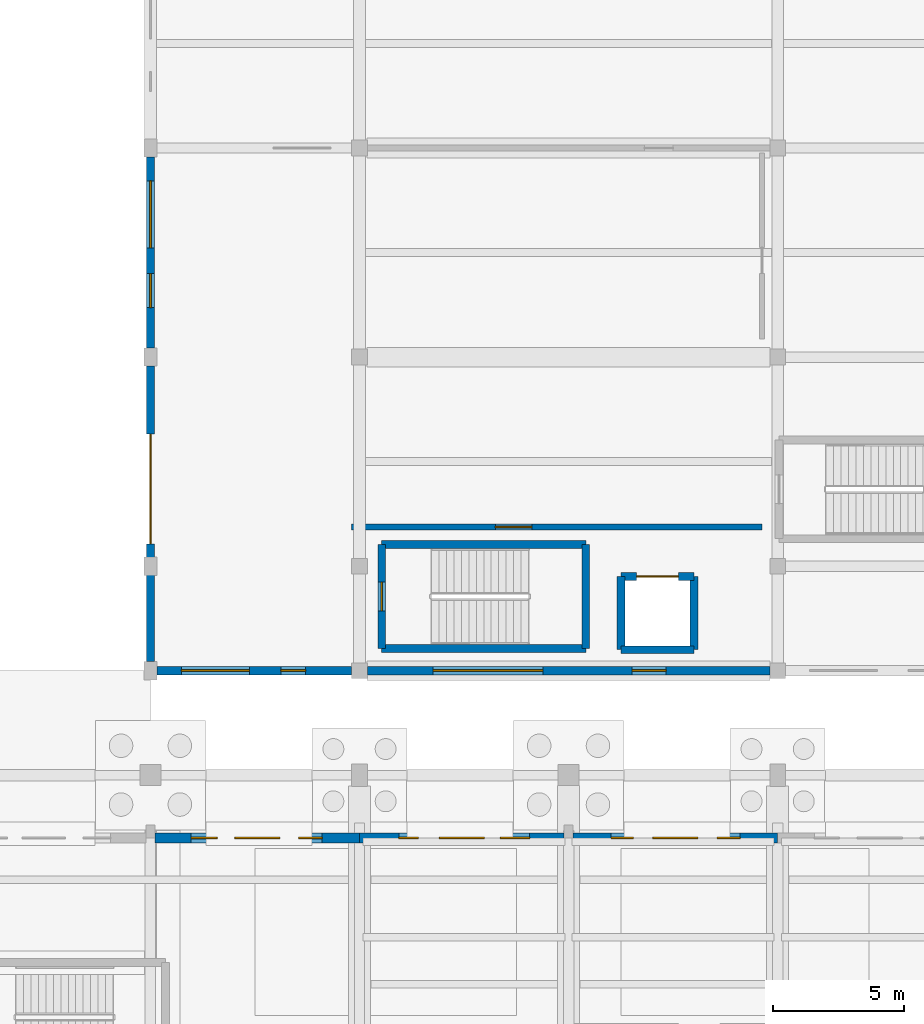
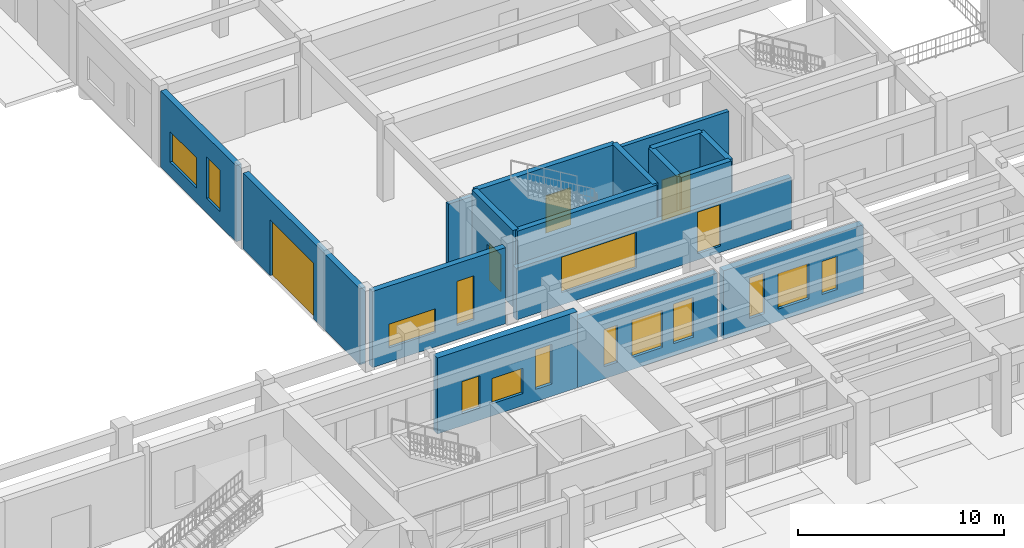
# One storey, part 49 of 68: 16 walls, 15 windows, 4 doors, 19 openings.
"""IFC4 building model written with IfcOpenShell, lengths in metres."""

from ifc_helpers import new_model, si_unit, direction, frame, frame_2d, origin, place, context, subcontext, project, spatial, rectangle, extrude, material, layer, layer_set, type_object, element, fill, save


model = new_model("IFC4")

# Units and contexts
model_context = context("Model", 3, precision=1e-05, world=origin(), true_north=direction((0.0, 1.0)))
body_context = subcontext(model_context, "Body", "Model", "MODEL_VIEW")
ifc_project = project(units=[si_unit("LENGTHUNIT", "METRE"), si_unit("AREAUNIT", "SQUARE_METRE"), si_unit("VOLUMEUNIT", "CUBIC_METRE"), si_unit("PLANEANGLEUNIT", "RADIAN"), si_unit("MASSUNIT", "GRAM", prefix="KILO")], contexts=[model_context])

# Site, building, storey
site_placement = place(None, origin())
site = spatial("IfcSite", under=ifc_project, at=site_placement, CompositionType="ELEMENT")
building_placement = place(site_placement, origin())
building = spatial("IfcBuilding", under=site, at=building_placement, Name="Serraluz Foothill Cableway Terminal", CompositionType="ELEMENT")
storey_placement = place(building_placement, origin())
storey = spatial("IfcBuildingStorey", under=building, at=storey_placement, Name="L00", CompositionType="ELEMENT", Elevation=0.0)

# Wall, opening, door
ifc_material_1 = material(Name="Dark clinker clay masonry brick (f'm 14 MPa)", Category="masonry")
ifc_layer_1 = layer(ifc_material_1, 0.320068359375, Name="Dark clinker clay masonry brick (f'm 14 MPa)", Category="masonry")
ifc_layer_set_1 = layer_set([ifc_layer_1], Name="Dark clinker clay masonry brick (f'm 14 MPa)")
wall_type_1 = type_object("IfcWallType", Name="TYP-WL-EXT-320", PredefinedType="STANDARD", material=ifc_layer_set_1)
wall_1_placement = place(storey_placement, frame((72.0, 76.35009765625, 0.0), z_axis=(0.0, 0.0, 1.0), x_axis=(0.0, 1.0, 0.0)))
wall_1 = element("IfcWall", 1, at=wall_1_placement, inside=storey, type_object=wall_type_1, Name="Exterior Masonry Wall EW-V4W-L00-1", PredefinedType="STANDARD", context=body_context, shape_type="SweptSolid", body=[
    extrude(rectangle(XDim=11.2998046875, YDim=0.320068359375, at=frame_2d((5.64990234375, 0.0))), origin(), (0.0, 0.0, 1.0), 4.5),
])
opening_1_placement = place(wall_1_placement, frame((4.5, 0.0, 0.0)))
opening_1 = element("IfcOpeningElement", 2, at=opening_1_placement, cuts=wall_1, Name="Opening GV-02", PredefinedType="OPENING", context=body_context, shape_type="SweptSolid", body=[
    extrude(rectangle(XDim=4.199951171875, YDim=3.300048828125, at=frame_2d((2.10009765625, 1.64990234375))), frame((0.0, 0.169921875, 0.0), z_axis=(0.0, -1.0, 0.0), x_axis=(1.0, 0.0, 0.0)), (0.0, 0.0, 1.0), 0.340087890625),
])
ifc_material_2 = material(Name="Galvanized hollow-metal steel sheet", Category="steel")
door_type_1 = type_object("IfcDoorType", Name="TYP-GT-LOAD-4200", OperationType="ROLLINGUP", PredefinedType="GATE", material=ifc_material_2)
door_1_placement = place(opening_1_placement, origin())
door_1 = element("IfcDoor", 3, at=door_1_placement, inside=storey, type_object=door_type_1, Name="Component Loading Roller Gate", OperationType="ROLLINGUP", OverallHeight=3.300048828125, OverallWidth=4.199951171875, PredefinedType="GATE", context=body_context, shape_type="SweptSolid", body=[
    extrude(rectangle(XDim=4.199951171875, YDim=3.300048828125, at=frame_2d((2.10009765625, 1.64990234375))), frame((0.0, 0.02490234375, 0.0), z_axis=(0.0, -1.0, 0.0), x_axis=(1.0, 0.0, 0.0)), (0.0, 0.0, 1.0), 0.050048828125),
])
fill(opening_1, door_1)

# Wall, openings, windows
wall_2_placement = place(storey_placement, frame((72.0, 88.35009765625, 0.0), z_axis=(0.0, 0.0, 1.0), x_axis=(0.0, 1.0, 0.0)))
wall_2 = element("IfcWall", 4, at=wall_2_placement, inside=storey, type_object=wall_type_1, Name="Exterior Masonry Wall EW-V4W-L00-2A", PredefinedType="STANDARD", context=body_context, shape_type="SweptSolid", body=[
    extrude(rectangle(XDim=7.2998046875, YDim=0.320068359375, at=frame_2d((3.64990234375, 0.0))), origin(), (0.0, 0.0, 1.0), 4.5),
])
opening_2_placement = place(wall_2_placement, frame((1.5400390625, 0.0, 0.85009765625)))
opening_2 = element("IfcOpeningElement", 5, at=opening_2_placement, cuts=wall_2, Name="Opening W-40", PredefinedType="OPENING", context=body_context, shape_type="SweptSolid", body=[
    extrude(rectangle(XDim=1.300048828125, YDim=2.449951171875, at=frame_2d((0.64990234375, 1.22509765625))), frame((0.0, 0.169921875, 0.0), z_axis=(0.0, -1.0, 0.0), x_axis=(1.0, 0.0, 0.0)), (0.0, 0.0, 1.0), 0.340087890625),
])
opening_3_placement = place(wall_2_placement, frame((3.83251953125, 0.0, 0.85009765625)))
opening_3 = element("IfcOpeningElement", 6, at=opening_3_placement, cuts=wall_2, Name="Opening W-15", PredefinedType="OPENING", context=body_context, shape_type="SweptSolid", body=[
    extrude(rectangle(XDim=2.554931640625, YDim=1.800048828125, at=frame_2d((1.27734375, 0.89990234375))), frame((0.0, 0.169921875, 0.0), z_axis=(0.0, -1.0, 0.0), x_axis=(1.0, 0.0, 0.0)), (0.0, 0.0, 1.0), 0.340087890625),
])
ifc_material_3 = material(Name="Laminated low-E safety glass", Category="glass")
window_type_1 = type_object("IfcWindowType", Name="TYP-WN-130X245", PartitioningType="DOUBLE_PANEL_VERTICAL", PredefinedType="WINDOW", material=ifc_material_3)
window_1_placement = place(opening_2_placement, origin())
window_1 = element("IfcWindow", 7, at=window_1_placement, inside=storey, type_object=window_type_1, Name="Exterior Window EW-V4W-L00-2A-WN1", OverallHeight=2.449951171875, OverallWidth=1.300048828125, PartitioningType="SINGLE_PANEL", PredefinedType="WINDOW", context=body_context, shape_type="SweptSolid", body=[
    extrude(rectangle(XDim=1.300048828125, YDim=2.449951171875, at=frame_2d((0.64990234375, 1.22509765625))), frame((0.0, 0.030029296875, 0.0), z_axis=(0.0, -1.0, 0.0), x_axis=(1.0, 0.0, 0.0)), (0.0, 0.0, 1.0), 0.06005859375),
])
fill(opening_2, window_1)
window_type_2 = type_object("IfcWindowType", Name="TYP-WN-270X180", PartitioningType="TRIPLE_PANEL_VERTICAL", PredefinedType="WINDOW", material=ifc_material_3)
window_2_placement = place(opening_3_placement, origin())
window_2 = element("IfcWindow", 8, at=window_2_placement, inside=storey, type_object=window_type_2, Name="Exterior Window EW-V4W-L00-2A-WN2", OverallHeight=1.800048828125, OverallWidth=2.554931640625, PartitioningType="SINGLE_PANEL", PredefinedType="WINDOW", context=body_context, shape_type="SweptSolid", body=[
    extrude(rectangle(XDim=2.554931640625, YDim=1.800048828125, at=frame_2d((1.27734375, 0.89990234375))), frame((0.0, 0.030029296875, 0.0), z_axis=(0.0, -1.0, 0.0), x_axis=(1.0, 0.0, 0.0)), (0.0, 0.0, 1.0), 0.06005859375),
])
fill(opening_3, window_2)

wall_3_placement = place(storey_placement, frame((95.699951171875, 76.0, 0.0), z_axis=(0.0, 0.0, 1.0), x_axis=(-1.0, 0.0, 0.0)))
wall_3 = element("IfcWall", 9, at=wall_3_placement, inside=storey, type_object=wall_type_1, Name="Exterior Masonry Wall EW-V4S-L00-80", PredefinedType="STANDARD", context=body_context, shape_type="SweptSolid", body=[
    extrude(rectangle(XDim=15.39990234375, YDim=0.320068359375, at=frame_2d((7.699951171875, 0.0))), origin(), (0.0, 0.0, 1.0), 3.050048828125),
])
opening_4_placement = place(wall_3_placement, frame((3.969970703125, 0.0, 0.3798828125)))
opening_4 = element("IfcOpeningElement", 10, at=opening_4_placement, cuts=wall_3, Name="Opening W-40", PredefinedType="OPENING", context=body_context, shape_type="SweptSolid", body=[
    extrude(rectangle(XDim=1.300048828125, YDim=2.449951171875, at=frame_2d((0.64990234375, 1.22509765625))), frame((0.0, 0.169921875, 0.0), z_axis=(0.0, -1.0, 0.0), x_axis=(1.0, 0.0, 0.0)), (0.0, 0.0, 1.0), 0.340087890625),
])
opening_5_placement = place(wall_3_placement, frame((8.679931640625, 0.0, 0.72998046875)))
opening_5 = element("IfcOpeningElement", 11, at=opening_5_placement, cuts=wall_3, Name="Opening W-22", PredefinedType="OPENING", context=body_context, shape_type="SweptSolid", body=[
    extrude(rectangle(XDim=4.199951171875, YDim=2.10009765625, at=frame_2d((2.10009765625, 1.050048828125))), frame((0.0, 0.169921875, 0.0), z_axis=(0.0, -1.0, 0.0), x_axis=(1.0, 0.0, 0.0)), (0.0, 0.0, 1.0), 0.340087890625),
])
window_3_placement = place(opening_4_placement, origin())
window_3 = element("IfcWindow", 12, at=window_3_placement, inside=storey, type_object=window_type_1, Name="Exterior Window EW-V4S-L00-80-WN1", OverallHeight=2.449951171875, OverallWidth=1.300048828125, PartitioningType="SINGLE_PANEL", PredefinedType="WINDOW", context=body_context, shape_type="SweptSolid", body=[
    extrude(rectangle(XDim=1.300048828125, YDim=2.449951171875, at=frame_2d((0.64990234375, 1.22509765625))), frame((0.0, 0.030029296875, 0.0), z_axis=(0.0, -1.0, 0.0), x_axis=(1.0, 0.0, 0.0)), (0.0, 0.0, 1.0), 0.06005859375),
])
fill(opening_4, window_3)
window_type_3 = type_object("IfcWindowType", Name="TYP-WN-420X210", PartitioningType="TRIPLE_PANEL_VERTICAL", PredefinedType="WINDOW", material=ifc_material_3)
window_4_placement = place(opening_5_placement, origin())
window_4 = element("IfcWindow", 13, at=window_4_placement, inside=storey, type_object=window_type_3, Name="Exterior Window EW-V4S-L00-80-WN2", OverallHeight=2.10009765625, OverallWidth=4.199951171875, PartitioningType="SINGLE_PANEL", PredefinedType="WINDOW", context=body_context, shape_type="SweptSolid", body=[
    extrude(rectangle(XDim=4.199951171875, YDim=2.10009765625, at=frame_2d((2.10009765625, 1.050048828125))), frame((0.0, 0.030029296875, 0.0), z_axis=(0.0, -1.0, 0.0), x_axis=(1.0, 0.0, 0.0)), (0.0, 0.0, 1.0), 0.06005859375),
])
fill(opening_5, window_4)

wall_4_placement = place(storey_placement, frame((79.699951171875, 76.0, 0.0), z_axis=(0.0, 0.0, 1.0), x_axis=(-1.0, 0.0, 0.0)))
wall_4 = element("IfcWall", 14, at=wall_4_placement, inside=storey, type_object=wall_type_1, Name="Exterior Masonry Wall EW-V4S-L00-72", PredefinedType="STANDARD", context=body_context, shape_type="SweptSolid", body=[
    extrude(rectangle(XDim=7.449951171875, YDim=0.320068359375, at=frame_2d((3.72509765625, 0.0))), origin(), (0.0, 0.0, 1.0), 4.5),
])
opening_6_placement = place(wall_4_placement, frame((1.760009765625, 0.0, 0.85009765625)))
opening_6 = element("IfcOpeningElement", 15, at=opening_6_placement, cuts=wall_4, Name="Opening W-03", PredefinedType="OPENING", context=body_context, shape_type="SweptSolid", body=[
    extrude(rectangle(XDim=0.949951171875, YDim=2.60009765625, at=frame_2d((0.47509765625, 1.300048828125))), frame((0.0, 0.169921875, 0.0), z_axis=(0.0, -1.0, 0.0), x_axis=(1.0, 0.0, 0.0)), (0.0, 0.0, 1.0), 0.340087890625),
])
opening_7_placement = place(wall_4_placement, frame((3.910888671875, 0.0, 0.85009765625)))
opening_7 = element("IfcOpeningElement", 16, at=opening_7_placement, cuts=wall_4, Name="Opening W-23", PredefinedType="OPENING", context=body_context, shape_type="SweptSolid", body=[
    extrude(rectangle(XDim=2.60791015625, YDim=1.39990234375, at=frame_2d((1.303955078125, 0.699951171875))), frame((0.0, 0.169921875, 0.0), z_axis=(0.0, -1.0, 0.0), x_axis=(1.0, 0.0, 0.0)), (0.0, 0.0, 1.0), 0.340087890625),
])
window_type_4 = type_object("IfcWindowType", Name="TYP-WN-095X260", PartitioningType="SINGLE_PANEL", PredefinedType="WINDOW", material=ifc_material_3)
window_5_placement = place(opening_6_placement, origin())
window_5 = element("IfcWindow", 17, at=window_5_placement, inside=storey, type_object=window_type_4, Name="Exterior Window EW-V4S-L00-72-WN1", OverallHeight=2.60009765625, OverallWidth=0.949951171875, PartitioningType="SINGLE_PANEL", PredefinedType="WINDOW", context=body_context, shape_type="SweptSolid", body=[
    extrude(rectangle(XDim=0.949951171875, YDim=2.60009765625, at=frame_2d((0.47509765625, 1.300048828125))), frame((0.0, 0.030029296875, 0.0), z_axis=(0.0, -1.0, 0.0), x_axis=(1.0, 0.0, 0.0)), (0.0, 0.0, 1.0), 0.06005859375),
])
fill(opening_6, window_5)
window_type_5 = type_object("IfcWindowType", Name="TYP-WN-450X140", PartitioningType="DOUBLE_PANEL_HORIZONTAL", PredefinedType="WINDOW", material=ifc_material_3)
window_6_placement = place(opening_7_placement, origin())
window_6 = element("IfcWindow", 18, at=window_6_placement, inside=storey, type_object=window_type_5, Name="Exterior Window EW-V4S-L00-72-WN2", OverallHeight=1.39990234375, OverallWidth=2.60791015625, PartitioningType="SINGLE_PANEL", PredefinedType="WINDOW", context=body_context, shape_type="SweptSolid", body=[
    extrude(rectangle(XDim=2.60791015625, YDim=1.39990234375, at=frame_2d((1.303955078125, 0.699951171875))), frame((0.0, 0.030029296875, 0.0), z_axis=(0.0, -1.0, 0.0), x_axis=(1.0, 0.0, 0.0)), (0.0, 0.0, 1.0), 0.06005859375),
])
fill(opening_7, window_6)

ifc_layer_2 = layer(ifc_material_1, 0.3798828125, Name="Dark clinker clay masonry brick (f'm 14 MPa)", Category="masonry")
ifc_layer_set_2 = layer_set([ifc_layer_2], Name="Dark clinker clay masonry brick (f'm 14 MPa)")
wall_type_2 = type_object("IfcWallType", Name="TYP-WL-EXT-380", PredefinedType="STANDARD", material=ifc_layer_set_2)
wall_5_placement = place(storey_placement, frame((72.175048828125, 69.60009765625, 0.0), z_axis=(0.0, 0.0, 1.0), x_axis=(1.0, 0.0, 0.0)))
wall_5 = element("IfcWall", 19, at=wall_5_placement, inside=storey, type_object=wall_type_2, Name="Exterior Masonry Wall EW-V1N-L00-72", PredefinedType="STANDARD", context=body_context, shape_type="SweptSolid", body=[
    extrude(rectangle(XDim=7.824951171875, YDim=0.3798828125, at=frame_2d((3.91259765625, 0.0))), origin(), (0.0, 0.0, 1.0), 4.5),
])
opening_8_placement = place(wall_5_placement, frame((1.3779296875, 0.0, 0.719970703125)))
opening_8 = element("IfcOpeningElement", 20, at=opening_8_placement, cuts=wall_5, Name="Opening W-24", PredefinedType="OPENING", context=body_context, shape_type="SweptSolid", body=[
    extrude(rectangle(XDim=1.0, YDim=1.89990234375, at=frame_2d((0.5, 0.949951171875))), frame((0.0, 0.199951171875, 0.0), z_axis=(0.0, -1.0, 0.0), x_axis=(1.0, 0.0, 0.0)), (0.0, 0.0, 1.0), 0.39990234375),
])
opening_9_placement = place(wall_5_placement, frame((3.051513671875, 0.0, 0.719970703125)))
opening_9 = element("IfcOpeningElement", 21, at=opening_9_placement, cuts=wall_5, Name="Opening W-11", PredefinedType="OPENING", context=body_context, shape_type="SweptSolid", body=[
    extrude(rectangle(XDim=1.721923828125, YDim=1.5, at=frame_2d((0.86083984375, 0.75))), frame((0.0, 0.199951171875, 0.0), z_axis=(0.0, -1.0, 0.0), x_axis=(1.0, 0.0, 0.0)), (0.0, 0.0, 1.0), 0.39990234375),
])
opening_10_placement = place(wall_5_placement, frame((5.4970703125, 0.0, 0.719970703125)))
opening_10 = element("IfcOpeningElement", 22, at=opening_10_placement, cuts=wall_5, Name="Opening W-37", PredefinedType="OPENING", context=body_context, shape_type="SweptSolid", body=[
    extrude(rectangle(XDim=0.89990234375, YDim=2.35009765625, at=frame_2d((0.449951171875, 1.175048828125))), frame((0.0, 0.199951171875, 0.0), z_axis=(0.0, -1.0, 0.0), x_axis=(1.0, 0.0, 0.0)), (0.0, 0.0, 1.0), 0.39990234375),
])
window_type_6 = type_object("IfcWindowType", Name="TYP-WN-090X235", PartitioningType="SINGLE_PANEL", PredefinedType="WINDOW", material=ifc_material_3)
window_7_placement = place(opening_10_placement, origin())
window_7 = element("IfcWindow", 23, at=window_7_placement, inside=storey, type_object=window_type_6, Name="Exterior Window EW-V1N-L00-72-WN3", OverallHeight=2.35009765625, OverallWidth=0.89990234375, PartitioningType="SINGLE_PANEL", PredefinedType="WINDOW", context=body_context, shape_type="SweptSolid", body=[
    extrude(rectangle(XDim=0.89990234375, YDim=2.35009765625, at=frame_2d((0.449951171875, 1.175048828125))), frame((0.0, 0.030029296875, 0.0), z_axis=(0.0, -1.0, 0.0), x_axis=(1.0, 0.0, 0.0)), (0.0, 0.0, 1.0), 0.06005859375),
])
fill(opening_10, window_7)
window_type_7 = type_object("IfcWindowType", Name="TYP-WN-100X190", PartitioningType="SINGLE_PANEL", PredefinedType="WINDOW", material=ifc_material_3)
window_8_placement = place(opening_8_placement, origin())
window_8 = element("IfcWindow", 24, at=window_8_placement, inside=storey, type_object=window_type_7, Name="Exterior Window EW-V1N-L00-72-WN1", OverallHeight=1.89990234375, OverallWidth=1.0, PartitioningType="SINGLE_PANEL", PredefinedType="WINDOW", context=body_context, shape_type="SweptSolid", body=[
    extrude(rectangle(XDim=1.0, YDim=1.89990234375, at=frame_2d((0.5, 0.949951171875))), frame((0.0, 0.030029296875, 0.0), z_axis=(0.0, -1.0, 0.0), x_axis=(1.0, 0.0, 0.0)), (0.0, 0.0, 1.0), 0.06005859375),
])
fill(opening_8, window_8)
window_type_8 = type_object("IfcWindowType", Name="TYP-WN-210X150", PartitioningType="DOUBLE_PANEL_VERTICAL", PredefinedType="WINDOW", material=ifc_material_3)
window_9_placement = place(opening_9_placement, origin())
window_9 = element("IfcWindow", 25, at=window_9_placement, inside=storey, type_object=window_type_8, Name="Exterior Window EW-V1N-L00-72-WN2", OverallHeight=1.5, OverallWidth=1.721923828125, PartitioningType="SINGLE_PANEL", PredefinedType="WINDOW", context=body_context, shape_type="SweptSolid", body=[
    extrude(rectangle(XDim=1.721923828125, YDim=1.5, at=frame_2d((0.86083984375, 0.75))), frame((0.0, 0.030029296875, 0.0), z_axis=(0.0, -1.0, 0.0), x_axis=(1.0, 0.0, 0.0)), (0.0, 0.0, 1.0), 0.06005859375),
])
fill(opening_9, window_9)

wall_6_placement = place(storey_placement, frame((80.0, 69.60009765625, 0.0), z_axis=(0.0, 0.0, 1.0), x_axis=(1.0, 0.0, 0.0)))
wall_6 = element("IfcWall", 26, at=wall_6_placement, inside=storey, type_object=wall_type_2, Name="Exterior Masonry Wall EW-V1N-L00-80", PredefinedType="STANDARD", context=body_context, shape_type="SweptSolid", body=[
    extrude(rectangle(XDim=7.824951171875, YDim=0.3798828125, at=frame_2d((3.91259765625, 0.0))), origin(), (0.0, 0.0, 1.0), 4.050048828125),
])
opening_11_placement = place(wall_6_placement, frame((1.5029296875, 0.0, 0.719970703125)))
opening_11 = element("IfcOpeningElement", 27, at=opening_11_placement, cuts=wall_6, Name="Opening W-01", PredefinedType="OPENING", context=body_context, shape_type="SweptSolid", body=[
    extrude(rectangle(XDim=0.75, YDim=2.199951171875, at=frame_2d((0.375, 1.10009765625))), frame((0.0, 0.199951171875, 0.0), z_axis=(0.0, -1.0, 0.0), x_axis=(1.0, 0.0, 0.0)), (0.0, 0.0, 1.0), 0.39990234375),
])
opening_12_placement = place(wall_6_placement, frame((3.051513671875, 0.0, 0.719970703125)))
opening_12 = element("IfcOpeningElement", 28, at=opening_12_placement, cuts=wall_6, Name="Opening W-14", PredefinedType="OPENING", context=body_context, shape_type="SweptSolid", body=[
    extrude(rectangle(XDim=1.721923828125, YDim=2.199951171875, at=frame_2d((0.86083984375, 1.10009765625))), frame((0.0, 0.199951171875, 0.0), z_axis=(0.0, -1.0, 0.0), x_axis=(1.0, 0.0, 0.0)), (0.0, 0.0, 1.0), 0.39990234375),
])
opening_13_placement = place(wall_6_placement, frame((5.386962890625, 0.0, 0.719970703125)))
opening_13 = element("IfcOpeningElement", 29, at=opening_13_placement, cuts=wall_6, Name="Opening W-50", PredefinedType="OPENING", context=body_context, shape_type="SweptSolid", body=[
    extrude(rectangle(XDim=1.1201171875, YDim=2.35009765625, at=frame_2d((0.56005859375, 1.175048828125))), frame((0.0, 0.199951171875, 0.0), z_axis=(0.0, -1.0, 0.0), x_axis=(1.0, 0.0, 0.0)), (0.0, 0.0, 1.0), 0.39990234375),
])
window_type_9 = type_object("IfcWindowType", Name="TYP-WN-075X220", PartitioningType="SINGLE_PANEL", PredefinedType="WINDOW", material=ifc_material_3)
window_10_placement = place(opening_11_placement, origin())
window_10 = element("IfcWindow", 30, at=window_10_placement, inside=storey, type_object=window_type_9, Name="Exterior Window EW-V1N-L00-80-WN1", OverallHeight=2.199951171875, OverallWidth=0.75, PartitioningType="SINGLE_PANEL", PredefinedType="WINDOW", context=body_context, shape_type="SweptSolid", body=[
    extrude(rectangle(XDim=0.75, YDim=2.199951171875, at=frame_2d((0.375, 1.10009765625))), frame((0.0, 0.030029296875, 0.0), z_axis=(0.0, -1.0, 0.0), x_axis=(1.0, 0.0, 0.0)), (0.0, 0.0, 1.0), 0.06005859375),
])
fill(opening_11, window_10)
window_type_10 = type_object("IfcWindowType", Name="TYP-WN-112X235", PartitioningType="SINGLE_PANEL", PredefinedType="WINDOW", material=ifc_material_3)
window_11_placement = place(opening_13_placement, origin())
window_11 = element("IfcWindow", 31, at=window_11_placement, inside=storey, type_object=window_type_10, Name="Exterior Window EW-V1N-L00-80-WN3", OverallHeight=2.35009765625, OverallWidth=1.1201171875, PartitioningType="SINGLE_PANEL", PredefinedType="WINDOW", context=body_context, shape_type="SweptSolid", body=[
    extrude(rectangle(XDim=1.1201171875, YDim=2.35009765625, at=frame_2d((0.56005859375, 1.175048828125))), frame((0.0, 0.030029296875, 0.0), z_axis=(0.0, -1.0, 0.0), x_axis=(1.0, 0.0, 0.0)), (0.0, 0.0, 1.0), 0.06005859375),
])
fill(opening_13, window_11)
window_type_11 = type_object("IfcWindowType", Name="TYP-WN-240X220", PartitioningType="TRIPLE_PANEL_VERTICAL", PredefinedType="WINDOW", material=ifc_material_3)
window_12_placement = place(opening_12_placement, origin())
window_12 = element("IfcWindow", 32, at=window_12_placement, inside=storey, type_object=window_type_11, Name="Exterior Window EW-V1N-L00-80-WN2", OverallHeight=2.199951171875, OverallWidth=1.721923828125, PartitioningType="SINGLE_PANEL", PredefinedType="WINDOW", context=body_context, shape_type="SweptSolid", body=[
    extrude(rectangle(XDim=1.721923828125, YDim=2.199951171875, at=frame_2d((0.86083984375, 1.10009765625))), frame((0.0, 0.030029296875, 0.0), z_axis=(0.0, -1.0, 0.0), x_axis=(1.0, 0.0, 0.0)), (0.0, 0.0, 1.0), 0.06005859375),
])
fill(opening_12, window_12)

wall_7_placement = place(storey_placement, frame((88.175048828125, 69.60009765625, 0.0), z_axis=(0.0, 0.0, 1.0), x_axis=(1.0, 0.0, 0.0)))
wall_7 = element("IfcWall", 33, at=wall_7_placement, inside=storey, type_object=wall_type_2, Name="Exterior Masonry Wall EW-V1N-L00-88", PredefinedType="STANDARD", context=body_context, shape_type="SweptSolid", body=[
    extrude(rectangle(XDim=7.824951171875, YDim=0.3798828125, at=frame_2d((3.91259765625, 0.0))), origin(), (0.0, 0.0, 1.0), 4.050048828125),
])
opening_14_placement = place(wall_7_placement, frame((1.452880859375, 0.0, 0.719970703125)))
opening_14 = element("IfcOpeningElement", 34, at=opening_14_placement, cuts=wall_7, Name="Opening W-02", PredefinedType="OPENING", context=body_context, shape_type="SweptSolid", body=[
    extrude(rectangle(XDim=0.85009765625, YDim=2.39990234375, at=frame_2d((0.425048828125, 1.199951171875))), frame((0.0, 0.199951171875, 0.0), z_axis=(0.0, -1.0, 0.0), x_axis=(1.0, 0.0, 0.0)), (0.0, 0.0, 1.0), 0.39990234375),
])
opening_15_placement = place(wall_7_placement, frame((3.051513671875, 0.0, 0.719970703125)))
opening_15 = element("IfcOpeningElement", 35, at=opening_15_placement, cuts=wall_7, Name="Opening W-17", PredefinedType="OPENING", context=body_context, shape_type="SweptSolid", body=[
    extrude(rectangle(XDim=1.721923828125, YDim=2.10009765625, at=frame_2d((0.86083984375, 1.050048828125))), frame((0.0, 0.199951171875, 0.0), z_axis=(0.0, -1.0, 0.0), x_axis=(1.0, 0.0, 0.0)), (0.0, 0.0, 1.0), 0.39990234375),
])
opening_16_placement = place(wall_7_placement, frame((5.507080078125, 0.0, 0.719970703125)))
opening_16 = element("IfcOpeningElement", 36, at=opening_16_placement, cuts=wall_7, Name="Opening W-48", PredefinedType="OPENING", context=body_context, shape_type="SweptSolid", body=[
    extrude(rectangle(XDim=0.8798828125, YDim=1.949951171875, at=frame_2d((0.43994140625, 0.97509765625))), frame((0.0, 0.199951171875, 0.0), z_axis=(0.0, -1.0, 0.0), x_axis=(1.0, 0.0, 0.0)), (0.0, 0.0, 1.0), 0.39990234375),
])
window_type_12 = type_object("IfcWindowType", Name="TYP-WN-085X240", PartitioningType="SINGLE_PANEL", PredefinedType="WINDOW", material=ifc_material_3)
window_13_placement = place(opening_14_placement, origin())
window_13 = element("IfcWindow", 37, at=window_13_placement, inside=storey, type_object=window_type_12, Name="Exterior Window EW-V1N-L00-88-WN1", OverallHeight=2.39990234375, OverallWidth=0.85009765625, PartitioningType="SINGLE_PANEL", PredefinedType="WINDOW", context=body_context, shape_type="SweptSolid", body=[
    extrude(rectangle(XDim=0.85009765625, YDim=2.39990234375, at=frame_2d((0.425048828125, 1.199951171875))), frame((0.0, 0.030029296875, 0.0), z_axis=(0.0, -1.0, 0.0), x_axis=(1.0, 0.0, 0.0)), (0.0, 0.0, 1.0), 0.06005859375),
])
fill(opening_14, window_13)
window_type_13 = type_object("IfcWindowType", Name="TYP-WN-088X195", PartitioningType="SINGLE_PANEL", PredefinedType="WINDOW", material=ifc_material_3)
window_14_placement = place(opening_16_placement, origin())
window_14 = element("IfcWindow", 38, at=window_14_placement, inside=storey, type_object=window_type_13, Name="Exterior Window EW-V1N-L00-88-WN3", OverallHeight=1.949951171875, OverallWidth=0.8798828125, PartitioningType="SINGLE_PANEL", PredefinedType="WINDOW", context=body_context, shape_type="SweptSolid", body=[
    extrude(rectangle(XDim=0.8798828125, YDim=1.949951171875, at=frame_2d((0.43994140625, 0.97509765625))), frame((0.0, 0.030029296875, 0.0), z_axis=(0.0, -1.0, 0.0), x_axis=(1.0, 0.0, 0.0)), (0.0, 0.0, 1.0), 0.06005859375),
])
fill(opening_16, window_14)
window_type_14 = type_object("IfcWindowType", Name="TYP-WN-300X210", PartitioningType="TRIPLE_PANEL_VERTICAL", PredefinedType="WINDOW", material=ifc_material_3)
window_15_placement = place(opening_15_placement, origin())
window_15 = element("IfcWindow", 39, at=window_15_placement, inside=storey, type_object=window_type_14, Name="Exterior Window EW-V1N-L00-88-WN2", OverallHeight=2.10009765625, OverallWidth=1.721923828125, PartitioningType="SINGLE_PANEL", PredefinedType="WINDOW", context=body_context, shape_type="SweptSolid", body=[
    extrude(rectangle(XDim=1.721923828125, YDim=2.10009765625, at=frame_2d((0.86083984375, 1.050048828125))), frame((0.0, 0.030029296875, 0.0), z_axis=(0.0, -1.0, 0.0), x_axis=(1.0, 0.0, 0.0)), (0.0, 0.0, 1.0), 0.06005859375),
])
fill(opening_15, window_15)

# Wall, opening, door
ifc_material_4 = material(Name="Concrete C28/35 (f'c 28 MPa)", Category="concrete")
ifc_layer_3 = layer(ifc_material_4, 0.219970703125, Name="Concrete C28/35 (f'c 28 MPa)", Category="concrete")
ifc_layer_set_3 = layer_set([ifc_layer_3], Name="Concrete C28/35 (f'c 28 MPa)")
wall_type_3 = type_object("IfcWallType", Name="TYP-WL-PRT-220", PredefinedType="PARTITIONING", material=ifc_layer_set_3)
wall_8_placement = place(storey_placement, frame((79.699951171875, 81.5, 0.0), z_axis=(0.0, 0.0, 1.0), x_axis=(1.0, 0.0, 0.0)))
wall_8 = element("IfcWall", 40, at=wall_8_placement, inside=storey, type_object=wall_type_3, Name="Interior Partition PT-L00-17W", PredefinedType="PARTITIONING", context=body_context, shape_type="SweptSolid", body=[
    extrude(rectangle(XDim=15.699951171875, YDim=0.219970703125, at=frame_2d((7.85009765625, 0.0))), origin(), (0.0, 0.0, 1.0), 3.69189453125),
])
opening_17_placement = place(wall_8_placement, frame((5.5, 0.0, 0.0)))
opening_17 = element("IfcOpeningElement", 41, at=opening_17_placement, cuts=wall_8, Name="Opening DF-09", PredefinedType="OPENING", context=body_context, shape_type="SweptSolid", body=[
    extrude(rectangle(XDim=1.39990234375, YDim=2.199951171875, at=frame_2d((0.699951171875, 1.10009765625))), frame((0.0, 0.1201171875, 0.0), z_axis=(0.0, -1.0, 0.0), x_axis=(1.0, 0.0, 0.0)), (0.0, 0.0, 1.0), 0.239990234375),
])
door_type_2 = type_object("IfcDoorType", Name="TYP-DR-FD60-1400", OperationType="DOUBLE_DOOR_SINGLE_SWING", PredefinedType="DOOR", material=ifc_material_2)
door_2_placement = place(opening_17_placement, origin())
door_2 = element("IfcDoor", 42, at=door_2_placement, inside=storey, type_object=door_type_2, Name="Interior Door PT-L00-17W-DR1", OperationType="DOUBLE_DOOR_SINGLE_SWING", OverallHeight=2.199951171875, OverallWidth=1.39990234375, PredefinedType="DOOR", context=body_context, shape_type="SweptSolid", body=[
    extrude(rectangle(XDim=1.39990234375, YDim=2.199951171875, at=frame_2d((0.699951171875, 1.10009765625))), frame((0.0, 0.02490234375, 0.0), z_axis=(0.0, -1.0, 0.0), x_axis=(1.0, 0.0, 0.0)), (0.0, 0.0, 1.0), 0.050048828125),
])
fill(opening_17, door_2)

# Wall
ifc_material_5 = material(Name="Concrete C35/45 (f'c 35 MPa)", Category="concrete")
ifc_layer_4 = layer(ifc_material_5, 0.300048828125, Name="Concrete C35/45 (f'c 35 MPa)", Category="concrete")
ifc_layer_set_4 = layer_set([ifc_layer_4], Name="Concrete C35/45 (f'c 35 MPa)")
wall_type_4 = type_object("IfcWallType", Name="TYP-WL-SHR-350", PredefinedType="SHEAR", material=ifc_layer_set_4)
wall_9_placement = place(storey_placement, frame((88.659912109375, 76.85009765625, 0.0), z_axis=(0.0, 0.0, 1.0), x_axis=(-1.0, 0.0, 0.0)))
element("IfcWall", 43, at=wall_9_placement, inside=storey, type_object=wall_type_4, Name="Stair Core Shear Wall CW-ST-08-L00-S", PredefinedType="SHEAR", context=body_context, shape_type="SweptSolid", body=[
    extrude(rectangle(XDim=7.809814453125, YDim=0.300048828125, at=frame_2d((3.90478515625, 0.0))), origin(), (0.0, 0.0, 1.0), 4.5400390625),
])

# Wall, opening, door
wall_10_placement = place(storey_placement, frame((80.85009765625, 76.85009765625, 0.0), z_axis=(0.0, 0.0, 1.0), x_axis=(0.0, 1.0, 0.0)))
wall_10 = element("IfcWall", 44, at=wall_10_placement, inside=storey, type_object=wall_type_4, Name="Stair Core Shear Wall CW-ST-08-L00-W", PredefinedType="SHEAR", context=body_context, shape_type="SweptSolid", body=[
    extrude(rectangle(XDim=3.97998046875, YDim=0.300048828125, at=frame_2d((1.989990234375, 0.0))), origin(), (0.0, 0.0, 1.0), 4.5400390625),
])
opening_18_placement = place(wall_10_placement, frame((1.43994140625, 0.0, 0.0)))
opening_18 = element("IfcOpeningElement", 45, at=opening_18_placement, cuts=wall_10, Name="Opening DF-07", PredefinedType="OPENING", context=body_context, shape_type="SweptSolid", body=[
    extrude(rectangle(XDim=1.10009765625, YDim=2.199951171875, at=frame_2d((0.550048828125, 1.10009765625))), frame((0.0, 0.16015625, 0.0), z_axis=(0.0, -1.0, 0.0), x_axis=(1.0, 0.0, 0.0)), (0.0, 0.0, 1.0), 0.320068359375),
])
door_type_3 = type_object("IfcDoorType", Name="TYP-DR-FD60-1100", OperationType="NOTDEFINED", PredefinedType="DOOR", material=ifc_material_2)
door_3_placement = place(opening_18_placement, origin())
door_3 = element("IfcDoor", 46, at=door_3_placement, inside=storey, type_object=door_type_3, Name="Exit Stair Fire Door ST-08 L00", OperationType="SINGLE_SWING_RIGHT", OverallHeight=2.199951171875, OverallWidth=1.10009765625, PredefinedType="DOOR", context=body_context, shape_type="SweptSolid", body=[
    extrude(rectangle(XDim=1.10009765625, YDim=2.199951171875, at=frame_2d((0.550048828125, 1.10009765625))), frame((0.0, 0.02490234375, 0.0), z_axis=(0.0, -1.0, 0.0), x_axis=(1.0, 0.0, 0.0)), (0.0, 0.0, 1.0), 0.050048828125),
])
fill(opening_18, door_3)

# Walls
wall_11_placement = place(storey_placement, frame((80.85009765625, 80.830078125, 0.0), z_axis=(0.0, 0.0, 1.0), x_axis=(1.0, 0.0, 0.0)))
element("IfcWall", 47, at=wall_11_placement, inside=storey, type_object=wall_type_4, Name="Stair Core Shear Wall CW-ST-08-L00-N", PredefinedType="SHEAR", context=body_context, shape_type="SweptSolid", body=[
    extrude(rectangle(XDim=7.809814453125, YDim=0.300048828125, at=frame_2d((3.90478515625, 0.0))), origin(), (0.0, 0.0, 1.0), 4.5400390625),
])
wall_12_placement = place(storey_placement, frame((88.659912109375, 80.830078125, 0.0), z_axis=(0.0, 0.0, 1.0), x_axis=(0.0, -1.0, 0.0)))
element("IfcWall", 48, at=wall_12_placement, inside=storey, type_object=wall_type_4, Name="Stair Core Shear Wall CW-ST-08-L00-E", PredefinedType="SHEAR", context=body_context, shape_type="SweptSolid", body=[
    extrude(rectangle(XDim=3.97998046875, YDim=0.300048828125, at=frame_2d((1.989990234375, 0.0))), origin(), (0.0, 0.0, 1.0), 4.5400390625),
])
for number, where, z_axis, x_axis, name in (
    (49, (92.800048828125, 76.800048828125, 0.0), (0.0, 0.0, 1.0), (-1.0, 0.0, 0.0), "Lift Shaft Shear Wall LW-LF-07-L00-S"),
    (50, (90.0, 76.800048828125, 0.0), (0.0, 0.0, 1.0), (0.0, 1.0, 0.0), "Lift Shaft Shear Wall LW-LF-07-L00-W"),
):
    element("IfcWall", number, at=place(storey_placement, frame(where, z_axis=z_axis, x_axis=x_axis)), inside=storey, type_object=wall_type_4, Name=name, PredefinedType="SHEAR", context=body_context, shape_type="SweptSolid", body=[
        extrude(rectangle(XDim=2.800048828125, YDim=0.300048828125, at=frame_2d((1.39990234375, 0.0))), origin(), (0.0, 0.0, 1.0), 4.5400390625),
    ])

# Wall, opening, door
wall_13_placement = place(storey_placement, frame((90.0, 79.60009765625, 0.0), z_axis=(0.0, 0.0, 1.0), x_axis=(1.0, 0.0, 0.0)))
wall_13 = element("IfcWall", 51, at=wall_13_placement, inside=storey, type_object=wall_type_4, Name="Lift Shaft Shear Wall LW-LF-07-L00-N", PredefinedType="SHEAR", context=body_context, shape_type="SweptSolid", body=[
    extrude(rectangle(XDim=2.800048828125, YDim=0.300048828125, at=frame_2d((1.39990234375, 0.0))), origin(), (0.0, 0.0, 1.0), 4.5400390625),
])
opening_19_placement = place(wall_13_placement, frame((0.60009765625, 0.0, 0.0)))
opening_19 = element("IfcOpeningElement", 52, at=opening_19_placement, cuts=wall_13, Name="Opening LD-03", PredefinedType="OPENING", context=body_context, shape_type="SweptSolid", body=[
    extrude(rectangle(XDim=1.60009765625, YDim=2.39990234375, at=frame_2d((0.800048828125, 1.199951171875))), frame((0.0, 0.16015625, 0.0), z_axis=(0.0, -1.0, 0.0), x_axis=(1.0, 0.0, 0.0)), (0.0, 0.0, 1.0), 0.320068359375),
])
door_type_4 = type_object("IfcDoorType", Name="TYP-DR-LD-1600", OperationType="DOUBLE_DOOR_SLIDING", PredefinedType="DOOR", material=ifc_material_2)
door_4_placement = place(opening_19_placement, origin())
door_4 = element("IfcDoor", 53, at=door_4_placement, inside=storey, type_object=door_type_4, Name="Lift Sliding Landing Door LF-07 L00", OperationType="DOUBLE_DOOR_SLIDING", OverallHeight=2.39990234375, OverallWidth=1.60009765625, PredefinedType="DOOR", context=body_context, shape_type="SweptSolid", body=[
    extrude(rectangle(XDim=1.60009765625, YDim=2.39990234375, at=frame_2d((0.800048828125, 1.199951171875))), frame((0.0, 0.02490234375, 0.0), z_axis=(0.0, -1.0, 0.0), x_axis=(1.0, 0.0, 0.0)), (0.0, 0.0, 1.0), 0.050048828125),
])
fill(opening_19, door_4)

# Wall
wall_14_placement = place(storey_placement, frame((92.800048828125, 79.60009765625, 0.0), z_axis=(0.0, 0.0, 1.0), x_axis=(0.0, -1.0, 0.0)))
element("IfcWall", 54, at=wall_14_placement, inside=storey, type_object=wall_type_4, Name="Lift Shaft Shear Wall LW-LF-07-L00-E", PredefinedType="SHEAR", context=body_context, shape_type="SweptSolid", body=[
    extrude(rectangle(XDim=2.800048828125, YDim=0.300048828125, at=frame_2d((1.39990234375, 0.0))), origin(), (0.0, 0.0, 1.0), 4.5400390625),
])

save(model, "model.ifc")
